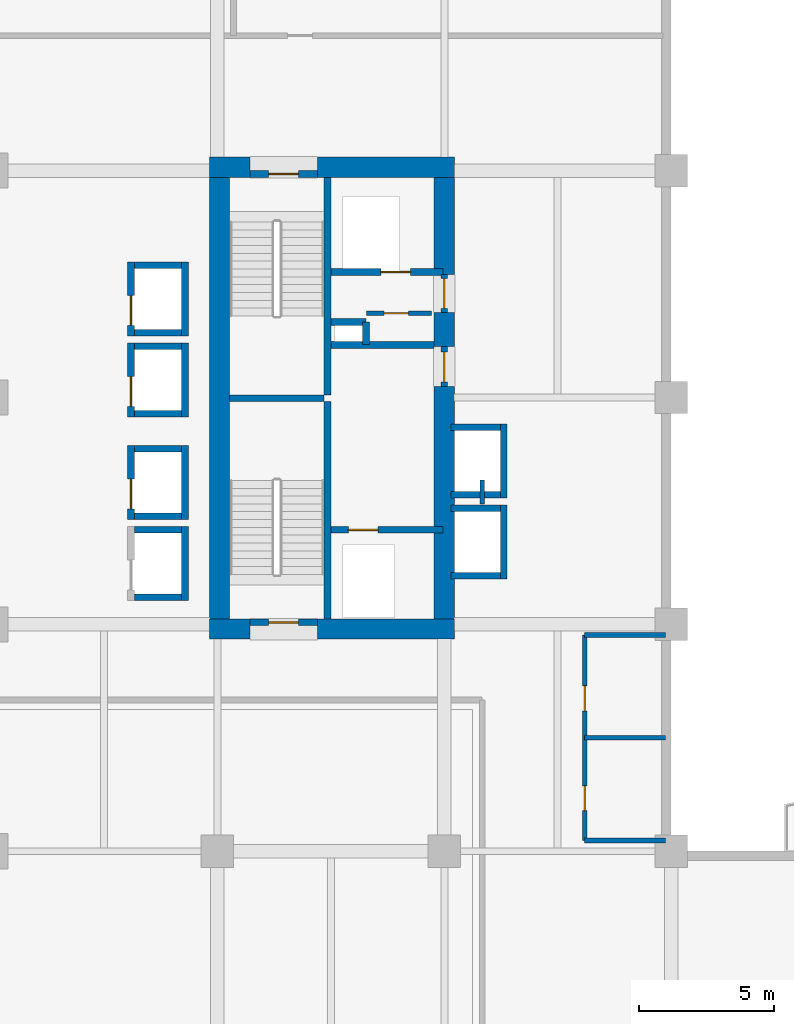
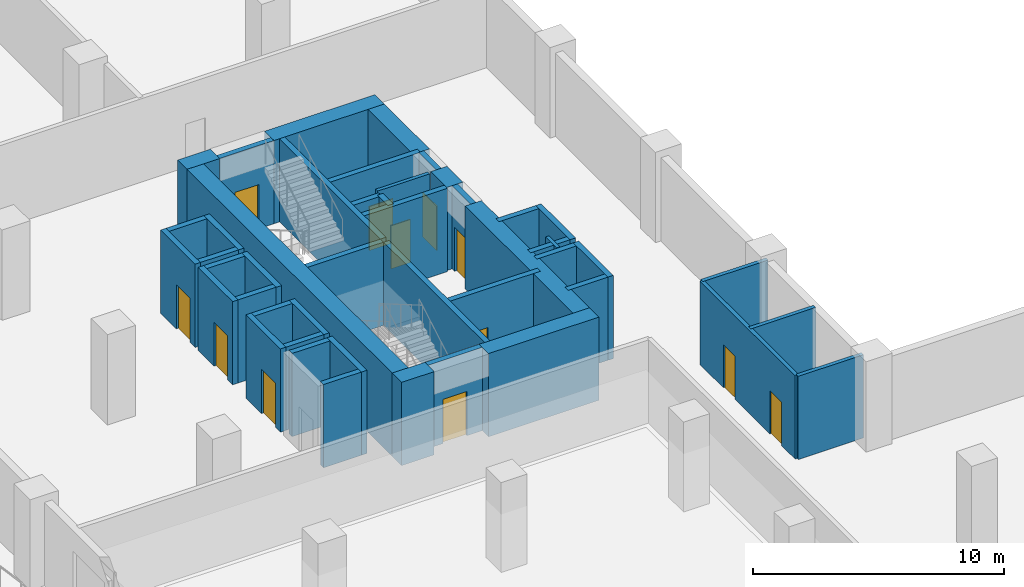
# One storey, part 15 of 24: 47 walls, 12 doors, 12 openings.
"""IFC4 building model written with IfcOpenShell, lengths in metres."""

from ifc_helpers import new_model, si_unit, direction, frame, frame_2d, origin, place, context, subcontext, project, spatial, rectangle, extrude, material, layer, layer_set, type_object, element, fill, save


model = new_model("IFC4")

# Units and contexts
model_context = context("Model", 3, precision=1e-05, world=origin(), true_north=direction((0.0, 1.0)))
body_context = subcontext(model_context, "Body", "Model", "MODEL_VIEW")
ifc_project = project(units=[si_unit("LENGTHUNIT", "METRE"), si_unit("AREAUNIT", "SQUARE_METRE"), si_unit("VOLUMEUNIT", "CUBIC_METRE"), si_unit("PLANEANGLEUNIT", "RADIAN"), si_unit("MASSUNIT", "GRAM", prefix="KILO")], contexts=[model_context])

# Site, building, storey
site_placement = place(None, origin())
site = spatial("IfcSite", under=ifc_project, at=site_placement, CompositionType="ELEMENT")
building_placement = place(site_placement, origin())
building = spatial("IfcBuilding", under=site, at=building_placement, Name="Koriwani Terraces Tower", CompositionType="ELEMENT")
storey_placement = place(building_placement, frame((0.0, 0.0, 89.60009765625)))
storey = spatial("IfcBuildingStorey", under=building, at=storey_placement, Name="L21", CompositionType="ELEMENT", Elevation=89.60009765625)

# Walls
ifc_material_1 = material(Name="Concrete C60/75", Category="concrete")
ifc_layer_1 = layer(ifc_material_1, 0.75, Name="Concrete C60/75")
ifc_layer_set_1 = layer_set([ifc_layer_1], Name="Concrete C60/75")
wall_type_1 = type_object("IfcWallType", Name="WALL_CORE_RC_750", PredefinedType="SHEAR", material=ifc_layer_set_1)
wall_1_placement = place(storey_placement, frame((16.5, 41.824951171875, 0.0), z_axis=(0.0, 0.0, 1.0), x_axis=(1.0, 0.0, 0.0)))
element("IfcWall", 1, at=wall_1_placement, inside=storey, type_object=wall_type_1, Name="L21 West Split Core Shear Wall S1", PredefinedType="SHEAR", context=body_context, shape_type="SweptSolid", body=[
    extrude(rectangle(XDim=1.5, YDim=0.75, at=frame_2d((0.75, 0.0))), origin(), (0.0, 0.0, 1.0), 4.0498046875),
])
wall_2_placement = place(storey_placement, frame((20.5, 41.824951171875, 0.0), z_axis=(0.0, 0.0, 1.0), x_axis=(1.0, 0.0, 0.0)))
element("IfcWall", 2, at=wall_2_placement, inside=storey, type_object=wall_type_1, Name="L21 West Split Core Shear Wall S2", PredefinedType="SHEAR", context=body_context, shape_type="SweptSolid", body=[
    extrude(rectangle(XDim=5.074951171875, YDim=0.75, at=frame_2d((2.53759765625, 0.0))), origin(), (0.0, 0.0, 1.0), 4.0498046875),
])
wall_3_placement = place(storey_placement, frame((16.5, 58.925048828125, 0.0), z_axis=(0.0, 0.0, 1.0), x_axis=(1.0, 0.0, 0.0)))
element("IfcWall", 3, at=wall_3_placement, inside=storey, type_object=wall_type_1, Name="L21 West Split Core Shear Wall N1", PredefinedType="SHEAR", context=body_context, shape_type="SweptSolid", body=[
    extrude(rectangle(XDim=1.5, YDim=0.75, at=frame_2d((0.75, 0.0))), origin(), (0.0, 0.0, 1.0), 4.0498046875),
])
wall_4_placement = place(storey_placement, frame((20.5, 58.925048828125, 0.0), z_axis=(0.0, 0.0, 1.0), x_axis=(1.0, 0.0, 0.0)))
element("IfcWall", 4, at=wall_4_placement, inside=storey, type_object=wall_type_1, Name="L21 West Split Core Shear Wall N2", PredefinedType="SHEAR", context=body_context, shape_type="SweptSolid", body=[
    extrude(rectangle(XDim=5.074951171875, YDim=0.75, at=frame_2d((2.53759765625, 0.0))), origin(), (0.0, 0.0, 1.0), 4.0498046875),
])
wall_5_placement = place(storey_placement, frame((16.875, 42.199951171875, 0.0), z_axis=(0.0, 0.0, 1.0), x_axis=(0.0, 1.0, 0.0)))
element("IfcWall", 5, at=wall_5_placement, inside=storey, type_object=wall_type_1, Name="L21 West Split Core Shear Wall W1", PredefinedType="SHEAR", context=body_context, shape_type="SweptSolid", body=[
    extrude(rectangle(XDim=16.35009765625, YDim=0.75, at=frame_2d((8.175048828125, 0.0))), origin(), (0.0, 0.0, 1.0), 4.0498046875),
])
wall_6_placement = place(storey_placement, frame((25.199951171875, 42.199951171875, 0.0), z_axis=(0.0, 0.0, 1.0), x_axis=(0.0, 1.0, 0.0)))
element("IfcWall", 6, at=wall_6_placement, inside=storey, type_object=wall_type_1, Name="L21 West Split Core Shear Wall E1", PredefinedType="SHEAR", context=body_context, shape_type="SweptSolid", body=[
    extrude(rectangle(XDim=8.60009765625, YDim=0.75, at=frame_2d((4.300048828125, 0.0))), origin(), (0.0, 0.0, 1.0), 4.0498046875),
])
wall_7_placement = place(storey_placement, frame((25.199951171875, 52.280029296875, 0.0), z_axis=(0.0, 0.0, 1.0), x_axis=(0.0, 1.0, 0.0)))
element("IfcWall", 7, at=wall_7_placement, inside=storey, type_object=wall_type_1, Name="L21 West Split Core Shear Wall E2", PredefinedType="SHEAR", context=body_context, shape_type="SweptSolid", body=[
    extrude(rectangle(XDim=1.27001953125, YDim=0.75, at=frame_2d((0.635009765625, 0.0))), origin(), (0.0, 0.0, 1.0), 4.0498046875),
])
wall_8_placement = place(storey_placement, frame((25.199951171875, 54.949951171875, 0.0), z_axis=(0.0, 0.0, 1.0), x_axis=(0.0, 1.0, 0.0)))
element("IfcWall", 8, at=wall_8_placement, inside=storey, type_object=wall_type_1, Name="L21 West Split Core Shear Wall E3", PredefinedType="SHEAR", context=body_context, shape_type="SweptSolid", body=[
    extrude(rectangle(XDim=3.60009765625, YDim=0.75, at=frame_2d((1.800048828125, 0.0))), origin(), (0.0, 0.0, 1.0), 4.0498046875),
])

# Wall, openings, doors
ifc_material_2 = material(Name="Fire-Rated Acoustic Gypsum Partition", Category="masonry")
ifc_layer_2 = layer(ifc_material_2, 0.179931640625, Name="Fire-Rated Acoustic Gypsum Partition")
ifc_layer_set_2 = layer_set([ifc_layer_2], Name="Fire-Rated Acoustic Gypsum Partition")
wall_type_2 = type_object("IfcWallType", Name="WALL_PLUMBING_180", PredefinedType="PLUMBINGWALL", material=ifc_layer_set_2)
wall_9_placement = place(storey_placement, frame((30.39990234375, 34.0, 0.0), z_axis=(0.0, 0.0, 1.0), x_axis=(0.0, 1.0, 0.0)))
wall_9 = element("IfcWall", 9, at=wall_9_placement, inside=storey, type_object=wall_type_2, Name="L21 Interior Wall WSKY-WC-L21", PredefinedType="PLUMBINGWALL", context=body_context, shape_type="SweptSolid", body=[
    extrude(rectangle(XDim=7.60009765625, YDim=0.179931640625, at=frame_2d((3.800048828125, 0.0))), origin(), (0.0, 0.0, 1.0), 4.0498046875),
])
opening_1_placement = place(wall_9_placement, frame((1.10009765625, 0.0, 0.0)))
opening_1 = element("IfcOpeningElement", 10, at=opening_1_placement, cuts=wall_9, Name="Opening D-06", PredefinedType="OPENING", context=body_context, shape_type="SweptSolid", body=[
    extrude(rectangle(XDim=0.919921875, YDim=2.10009765625, at=frame_2d((0.4599609375, 1.050048828125))), frame((0.0, 0.10009765625, 0.0), z_axis=(0.0, -1.0, 0.0), x_axis=(1.0, 0.0, 0.0)), (0.0, 0.0, 1.0), 0.199951171875),
])
opening_2_placement = place(wall_9_placement, frame((4.800048828125, 0.0, 0.0)))
opening_2 = element("IfcOpeningElement", 11, at=opening_2_placement, cuts=wall_9, Name="Opening D-06", PredefinedType="OPENING", context=body_context, shape_type="SweptSolid", body=[
    extrude(rectangle(XDim=0.919921875, YDim=2.10009765625, at=frame_2d((0.4599609375, 1.050048828125))), frame((0.0, 0.10009765625, 0.0), z_axis=(0.0, -1.0, 0.0), x_axis=(1.0, 0.0, 0.0)), (0.0, 0.0, 1.0), 0.199951171875),
])
ifc_material_3 = material(Name="Architectural Oak Fire Door", Category="wood")
door_type_1 = type_object("IfcDoorType", Name="DOOR_ROOM_INT_920X2100", OperationType="NOTDEFINED", PredefinedType="DOOR", material=ifc_material_3)
door_1_placement = place(opening_1_placement, origin())
door_1 = element("IfcDoor", 12, at=door_1_placement, inside=storey, type_object=door_type_1, Name="L21 Sky Lobby Restroom WC Door", OperationType="SINGLE_SWING_LEFT", OverallHeight=2.10009765625, OverallWidth=0.919921875, PredefinedType="DOOR", context=body_context, shape_type="SweptSolid", body=[
    extrude(rectangle(XDim=0.919921875, YDim=2.10009765625, at=frame_2d((0.4599609375, 1.050048828125))), frame((0.0, 0.02490234375, 0.0), z_axis=(0.0, -1.0, 0.0), x_axis=(1.0, 0.0, 0.0)), (0.0, 0.0, 1.0), 0.050048828125),
])
fill(opening_1, door_1)
door_2_placement = place(opening_2_placement, origin())
door_2 = element("IfcDoor", 13, at=door_2_placement, inside=storey, type_object=door_type_1, Name="L21 Sky Lobby Accessible WC Door", OperationType="SINGLE_SWING_RIGHT", OverallHeight=2.10009765625, OverallWidth=0.919921875, PredefinedType="DOOR", context=body_context, shape_type="SweptSolid", body=[
    extrude(rectangle(XDim=0.919921875, YDim=2.10009765625, at=frame_2d((0.4599609375, 1.050048828125))), frame((0.0, 0.02490234375, 0.0), z_axis=(0.0, -1.0, 0.0), x_axis=(1.0, 0.0, 0.0)), (0.0, 0.0, 1.0), 0.050048828125),
])
fill(opening_2, door_2)

# Walls
for number, where, z_axis, x_axis, name in (
    (14, (30.39990234375, 34.0, 0.0), (0.0, 0.0, 1.0), (1.0, 0.0, 0.0), "L21 Interior Wall WSKY-WCS-L21"),
    (15, (30.39990234375, 37.800048828125, 0.0), (0.0, 0.0, 1.0), (1.0, 0.0, 0.0), "L21 Interior Wall WSKY-WCM-L21"),
    (16, (30.39990234375, 41.60009765625, 0.0), (0.0, 0.0, 1.0), (1.0, 0.0, 0.0), "L21 Interior Wall WSKY-WCN-L21"),
):
    element("IfcWall", number, at=place(storey_placement, frame(where, z_axis=z_axis, x_axis=x_axis)), inside=storey, type_object=wall_type_2, Name=name, PredefinedType="PLUMBINGWALL", context=body_context, shape_type="SweptSolid", body=[
        extrude(rectangle(XDim=3.0, YDim=0.179931640625, at=frame_2d((1.5, 0.0))), origin(), (0.0, 0.0, 1.0), 4.0498046875),
    ])
ifc_material_4 = material(Name="Concrete C40/50", Category="concrete")
ifc_layer_3 = layer(ifc_material_4, 0.25, Name="Concrete C40/50")
ifc_layer_set_3 = layer_set([ifc_layer_3], Name="Concrete C40/50")
wall_type_3 = type_object("IfcWallType", Name="WALL_SHAFT_RATED_250", PredefinedType="SOLIDWALL", material=ifc_layer_set_3)
for number, where, z_axis, x_axis, name in (
    (17, (20.875, 42.199951171875, 0.0), (0.0, 0.0, 1.0), (0.0, 1.0, 0.0), "L21 West Split Core Web Wall MID1"),
    (18, (20.875, 50.5, 0.0), (0.0, 0.0, 1.0), (0.0, 1.0, 0.0), "L21 West Split Core Web Wall MID2"),
):
    element("IfcWall", number, at=place(storey_placement, frame(where, z_axis=z_axis, x_axis=x_axis)), inside=storey, type_object=wall_type_3, Name=name, PredefinedType="SOLIDWALL", context=body_context, shape_type="SweptSolid", body=[
        extrude(rectangle(XDim=8.050048828125, YDim=0.25, at=frame_2d((4.02490234375, 0.0))), origin(), (0.0, 0.0, 1.0), 4.0498046875),
    ])
wall_10_placement = place(storey_placement, frame((17.25, 50.375, 0.0), z_axis=(0.0, 0.0, 1.0), x_axis=(1.0, 0.0, 0.0)))
element("IfcWall", 19, at=wall_10_placement, inside=storey, type_object=wall_type_3, Name="L21 West Split Core Stair Dividing Wall", PredefinedType="SOLIDWALL", context=body_context, shape_type="SweptSolid", body=[
    extrude(rectangle(XDim=3.5, YDim=0.25, at=frame_2d((1.75, 0.0))), origin(), (0.0, 0.0, 1.0), 4.0498046875),
])

# Wall, opening, door
wall_11_placement = place(storey_placement, frame((18.0, 42.074951171875, 0.0), z_axis=(0.0, 0.0, 1.0), x_axis=(1.0, 0.0, 0.0)))
wall_11 = element("IfcWall", 20, at=wall_11_placement, inside=storey, type_object=wall_type_3, Name="L21 Interior Wall WIN-CW-L21-STS", PredefinedType="SOLIDWALL", context=body_context, shape_type="SweptSolid", body=[
    extrude(rectangle(XDim=2.5, YDim=0.25, at=frame_2d((1.25, 0.0))), origin(), (0.0, 0.0, 1.0), 4.0498046875),
])
opening_3_placement = place(wall_11_placement, frame((0.699951171875, 0.0, 0.0)))
opening_3 = element("IfcOpeningElement", 21, at=opening_3_placement, cuts=wall_11, Name="Opening D-03", PredefinedType="OPENING", context=body_context, shape_type="SweptSolid", body=[
    extrude(rectangle(XDim=1.10009765625, YDim=2.14990234375, at=frame_2d((0.550048828125, 1.074951171875))), frame((0.0, 0.135009765625, 0.0), z_axis=(0.0, -1.0, 0.0), x_axis=(1.0, 0.0, 0.0)), (0.0, 0.0, 1.0), 0.27001953125),
])
ifc_material_5 = material(Name="Steel ASTM A572 Grade 50", Category="steel")
door_type_2 = type_object("IfcDoorType", Name="DOOR_STAIR_FIRE_1100X2150", OperationType="NOTDEFINED", PredefinedType="DOOR", material=ifc_material_5)
door_3_placement = place(opening_3_placement, origin())
door_3 = element("IfcDoor", 22, at=door_3_placement, inside=storey, type_object=door_type_2, Name="L21 Exit Stair ST-W1 Door", OperationType="SINGLE_SWING_LEFT", OverallHeight=2.14990234375, OverallWidth=1.10009765625, PredefinedType="DOOR", context=body_context, shape_type="SweptSolid", body=[
    extrude(rectangle(XDim=1.10009765625, YDim=2.14990234375, at=frame_2d((0.550048828125, 1.074951171875))), frame((0.0, 0.02490234375, 0.0), z_axis=(0.0, -1.0, 0.0), x_axis=(1.0, 0.0, 0.0)), (0.0, 0.0, 1.0), 0.050048828125),
])
fill(opening_3, door_3)

wall_12_placement = place(storey_placement, frame((18.0, 58.675048828125, 0.0), z_axis=(0.0, 0.0, 1.0), x_axis=(1.0, 0.0, 0.0)))
wall_12 = element("IfcWall", 23, at=wall_12_placement, inside=storey, type_object=wall_type_3, Name="L21 Interior Wall WIN-CW-L21-STN", PredefinedType="SOLIDWALL", context=body_context, shape_type="SweptSolid", body=[
    extrude(rectangle(XDim=2.5, YDim=0.25, at=frame_2d((1.25, 0.0))), origin(), (0.0, 0.0, 1.0), 4.0498046875),
])
opening_4_placement = place(wall_12_placement, frame((0.699951171875, 0.0, 0.0)))
opening_4 = element("IfcOpeningElement", 24, at=opening_4_placement, cuts=wall_12, Name="Opening D-03", PredefinedType="OPENING", context=body_context, shape_type="SweptSolid", body=[
    extrude(rectangle(XDim=1.10009765625, YDim=2.14990234375, at=frame_2d((0.550048828125, 1.074951171875))), frame((0.0, 0.135009765625, 0.0), z_axis=(0.0, -1.0, 0.0), x_axis=(1.0, 0.0, 0.0)), (0.0, 0.0, 1.0), 0.27001953125),
])
door_4_placement = place(opening_4_placement, origin())
door_4 = element("IfcDoor", 25, at=door_4_placement, inside=storey, type_object=door_type_2, Name="L21 Exit Stair ST-W2 Door", OperationType="SINGLE_SWING_RIGHT", OverallHeight=2.14990234375, OverallWidth=1.10009765625, PredefinedType="DOOR", context=body_context, shape_type="SweptSolid", body=[
    extrude(rectangle(XDim=1.10009765625, YDim=2.14990234375, at=frame_2d((0.550048828125, 1.074951171875))), frame((0.0, 0.02490234375, 0.0), z_axis=(0.0, -1.0, 0.0), x_axis=(1.0, 0.0, 0.0)), (0.0, 0.0, 1.0), 0.050048828125),
])
fill(opening_4, door_4)

wall_13_placement = place(storey_placement, frame((21.0, 45.5, 0.0), z_axis=(0.0, 0.0, 1.0), x_axis=(1.0, 0.0, 0.0)))
wall_13 = element("IfcWall", 26, at=wall_13_placement, inside=storey, type_object=wall_type_3, Name="L21 Interior Wall WIN-CW-L21-FE", PredefinedType="SOLIDWALL", context=body_context, shape_type="SweptSolid", body=[
    extrude(rectangle(XDim=4.14990234375, YDim=0.25, at=frame_2d((2.074951171875, 0.0))), origin(), (0.0, 0.0, 1.0), 4.0498046875),
])
opening_5_placement = place(wall_13_placement, frame((0.64990234375, 0.0, 0.0)))
opening_5 = element("IfcOpeningElement", 27, at=opening_5_placement, cuts=wall_13, Name="Opening LD-01", PredefinedType="OPENING", context=body_context, shape_type="SweptSolid", body=[
    extrude(rectangle(XDim=1.10009765625, YDim=2.14990234375, at=frame_2d((0.550048828125, 1.074951171875))), frame((0.0, 0.135009765625, 0.0), z_axis=(0.0, -1.0, 0.0), x_axis=(1.0, 0.0, 0.0)), (0.0, 0.0, 1.0), 0.27001953125),
])
door_type_3 = type_object("IfcDoorType", Name="DOOR_LIFT_LANDING_1100X2200", OperationType="NOTDEFINED", PredefinedType="DOOR", material=ifc_material_5)
door_5_placement = place(opening_5_placement, origin())
door_5 = element("IfcDoor", 28, at=door_5_placement, inside=storey, type_object=door_type_3, Name="L21 Firefighting Lift FE-01 Landing Door", OperationType="SLIDING_TO_LEFT", OverallHeight=2.14990234375, OverallWidth=1.10009765625, PredefinedType="DOOR", context=body_context, shape_type="SweptSolid", body=[
    extrude(rectangle(XDim=1.10009765625, YDim=2.14990234375, at=frame_2d((0.550048828125, 1.074951171875))), frame((0.0, 0.02490234375, 0.0), z_axis=(0.0, -1.0, 0.0), x_axis=(1.0, 0.0, 0.0)), (0.0, 0.0, 1.0), 0.050048828125),
])
fill(opening_5, door_5)

wall_14_placement = place(storey_placement, frame((25.199951171875, 50.800048828125, 0.0), z_axis=(0.0, 0.0, 1.0), x_axis=(0.0, 1.0, 0.0)))
wall_14 = element("IfcWall", 29, at=wall_14_placement, inside=storey, type_object=wall_type_3, Name="L21 Interior Wall WIN-CW-L21-EP", PredefinedType="SOLIDWALL", context=body_context, shape_type="SweptSolid", body=[
    extrude(rectangle(XDim=1.47998046875, YDim=0.25, at=frame_2d((0.739990234375, 0.0))), origin(), (0.0, 0.0, 1.0), 4.0498046875),
])
opening_6_placement = place(wall_14_placement, frame((0.179931640625, 0.0, 0.0)))
opening_6 = element("IfcOpeningElement", 30, at=opening_6_placement, cuts=wall_14, Name="Opening D-03", PredefinedType="OPENING", context=body_context, shape_type="SweptSolid", body=[
    extrude(rectangle(XDim=1.10009765625, YDim=2.14990234375, at=frame_2d((0.550048828125, 1.074951171875))), frame((0.0, 0.135009765625, 0.0), z_axis=(0.0, -1.0, 0.0), x_axis=(1.0, 0.0, 0.0)), (0.0, 0.0, 1.0), 0.27001953125),
])
door_6_placement = place(opening_6_placement, origin())
door_6 = element("IfcDoor", 31, at=door_6_placement, inside=storey, type_object=door_type_2, Name="L21 West Firefighting Lobby Door", OperationType="SINGLE_SWING_LEFT", OverallHeight=2.14990234375, OverallWidth=1.10009765625, PredefinedType="DOOR", context=body_context, shape_type="SweptSolid", body=[
    extrude(rectangle(XDim=1.10009765625, YDim=2.14990234375, at=frame_2d((0.550048828125, 1.074951171875))), frame((0.0, 0.02490234375, 0.0), z_axis=(0.0, -1.0, 0.0), x_axis=(1.0, 0.0, 0.0)), (0.0, 0.0, 1.0), 0.050048828125),
])
fill(opening_6, door_6)

# Wall
wall_15_placement = place(storey_placement, frame((21.0, 52.340087890625, 0.0), z_axis=(0.0, 0.0, 1.0), x_axis=(1.0, 0.0, 0.0)))
element("IfcWall", 32, at=wall_15_placement, inside=storey, type_object=wall_type_3, Name="L21 Interior Wall WIN-CW-L21-FFN", PredefinedType="SOLIDWALL", context=body_context, shape_type="SweptSolid", body=[
    extrude(rectangle(XDim=3.824951171875, YDim=0.25, at=frame_2d((1.91259765625, 0.0))), origin(), (0.0, 0.0, 1.0), 4.0498046875),
])

# Wall, opening, door
wall_16_placement = place(storey_placement, frame((21.0, 55.050048828125, 0.0), z_axis=(0.0, 0.0, 1.0), x_axis=(1.0, 0.0, 0.0)))
wall_16 = element("IfcWall", 33, at=wall_16_placement, inside=storey, type_object=wall_type_3, Name="L21 Interior Wall WIN-CW-L21-SE", PredefinedType="SOLIDWALL", context=body_context, shape_type="SweptSolid", body=[
    extrude(rectangle(XDim=4.14990234375, YDim=0.25, at=frame_2d((2.074951171875, 0.0))), origin(), (0.0, 0.0, 1.0), 4.0498046875),
])
opening_7_placement = place(wall_16_placement, frame((1.85009765625, 0.0, 0.0)))
opening_7 = element("IfcOpeningElement", 34, at=opening_7_placement, cuts=wall_16, Name="Opening LD-01", PredefinedType="OPENING", context=body_context, shape_type="SweptSolid", body=[
    extrude(rectangle(XDim=1.10009765625, YDim=2.14990234375, at=frame_2d((0.550048828125, 1.074951171875))), frame((0.0, 0.135009765625, 0.0), z_axis=(0.0, -1.0, 0.0), x_axis=(1.0, 0.0, 0.0)), (0.0, 0.0, 1.0), 0.27001953125),
])
door_7_placement = place(opening_7_placement, origin())
door_7 = element("IfcDoor", 35, at=door_7_placement, inside=storey, type_object=door_type_3, Name="L21 Goods Lift SE-01 Landing Door", OperationType="SLIDING_TO_LEFT", OverallHeight=2.14990234375, OverallWidth=1.10009765625, PredefinedType="DOOR", context=body_context, shape_type="SweptSolid", body=[
    extrude(rectangle(XDim=1.10009765625, YDim=2.14990234375, at=frame_2d((0.550048828125, 1.074951171875))), frame((0.0, 0.02490234375, 0.0), z_axis=(0.0, -1.0, 0.0), x_axis=(1.0, 0.0, 0.0)), (0.0, 0.0, 1.0), 0.050048828125),
])
fill(opening_7, door_7)

wall_17_placement = place(storey_placement, frame((25.199951171875, 53.550048828125, 0.0), z_axis=(0.0, 0.0, 1.0), x_axis=(0.0, 1.0, 0.0)))
wall_17 = element("IfcWall", 36, at=wall_17_placement, inside=storey, type_object=wall_type_3, Name="L21 Interior Wall WIN-CW-L21-EP2", PredefinedType="SOLIDWALL", context=body_context, shape_type="SweptSolid", body=[
    extrude(rectangle(XDim=1.39990234375, YDim=0.25, at=frame_2d((0.699951171875, 0.0))), origin(), (0.0, 0.0, 1.0), 4.0498046875),
])
opening_8_placement = place(wall_17_placement, frame((0.14990234375, 0.0, 0.0)))
opening_8 = element("IfcOpeningElement", 37, at=opening_8_placement, cuts=wall_17, Name="Opening D-03", PredefinedType="OPENING", context=body_context, shape_type="SweptSolid", body=[
    extrude(rectangle(XDim=1.10009765625, YDim=2.14990234375, at=frame_2d((0.550048828125, 1.074951171875))), frame((0.0, 0.135009765625, 0.0), z_axis=(0.0, -1.0, 0.0), x_axis=(1.0, 0.0, 0.0)), (0.0, 0.0, 1.0), 0.27001953125),
])
door_8_placement = place(opening_8_placement, origin())
door_8 = element("IfcDoor", 38, at=door_8_placement, inside=storey, type_object=door_type_2, Name="L21 West Goods Lift Lobby Door", OperationType="SINGLE_SWING_RIGHT", OverallHeight=2.14990234375, OverallWidth=1.10009765625, PredefinedType="DOOR", context=body_context, shape_type="SweptSolid", body=[
    extrude(rectangle(XDim=1.10009765625, YDim=2.14990234375, at=frame_2d((0.550048828125, 1.074951171875))), frame((0.0, 0.02490234375, 0.0), z_axis=(0.0, -1.0, 0.0), x_axis=(1.0, 0.0, 0.0)), (0.0, 0.0, 1.0), 0.050048828125),
])
fill(opening_8, door_8)

# Walls
wall_18_placement = place(storey_placement, frame((21.0, 53.199951171875, 0.0), z_axis=(0.0, 0.0, 1.0), x_axis=(1.0, 0.0, 0.0)))
element("IfcWall", 39, at=wall_18_placement, inside=storey, type_object=wall_type_3, Name="L21 Interior Wall WIN-CW-L21-RS1", PredefinedType="SOLIDWALL", context=body_context, shape_type="SweptSolid", body=[
    extrude(rectangle(XDim=1.300048828125, YDim=0.25, at=frame_2d((0.64990234375, 0.0))), origin(), (0.0, 0.0, 1.0), 4.0498046875),
])
wall_19_placement = place(storey_placement, frame((22.300048828125, 52.360107421875, 0.0), z_axis=(0.0, 0.0, 1.0), x_axis=(0.0, 1.0, 0.0)))
element("IfcWall", 40, at=wall_19_placement, inside=storey, type_object=wall_type_3, Name="L21 Interior Wall WIN-CW-L21-RS2", PredefinedType="SOLIDWALL", context=body_context, shape_type="SweptSolid", body=[
    extrude(rectangle(XDim=0.83984375, YDim=0.25, at=frame_2d((0.419921875, 0.0))), origin(), (0.0, 0.0, 1.0), 4.0498046875),
])
wall_20_placement = place(storey_placement, frame((15.60009765625, 42.875, 0.0), z_axis=(0.0, 0.0, 1.0), x_axis=(0.0, 1.0, 0.0)))
element("IfcWall", 41, at=wall_20_placement, inside=storey, type_object=wall_type_3, Name="L21 Interior Wall WIN-LF-PE-L1-L21-B", PredefinedType="SOLIDWALL", context=body_context, shape_type="SweptSolid", body=[
    extrude(rectangle(XDim=2.75, YDim=0.25, at=frame_2d((1.375, 0.0))), origin(), (0.0, 0.0, 1.0), 4.0498046875),
])
for number, where, z_axis, x_axis, name in (
    (42, (13.72509765625, 43.0, 0.0), (0.0, 0.0, 1.0), (1.0, 0.0, 0.0), "L21 Interior Wall WIN-LF-PE-L1-L21-S"),
    (43, (13.72509765625, 45.5, 0.0), (0.0, 0.0, 1.0), (1.0, 0.0, 0.0), "L21 Interior Wall WIN-LF-PE-L1-L21-N"),
):
    element("IfcWall", number, at=place(storey_placement, frame(where, z_axis=z_axis, x_axis=x_axis)), inside=storey, type_object=wall_type_3, Name=name, PredefinedType="SOLIDWALL", context=body_context, shape_type="SweptSolid", body=[
        extrude(rectangle(XDim=1.75, YDim=0.25, at=frame_2d((0.875, 0.0))), origin(), (0.0, 0.0, 1.0), 4.0498046875),
    ])

# Wall, opening, door
wall_21_placement = place(storey_placement, frame((13.60009765625, 45.875, 0.0), z_axis=(0.0, 0.0, 1.0), x_axis=(0.0, 1.0, 0.0)))
wall_21 = element("IfcWall", 44, at=wall_21_placement, inside=storey, type_object=wall_type_3, Name="L21 Interior Wall WIN-LF-PE-L2-L21-F", PredefinedType="SOLIDWALL", context=body_context, shape_type="SweptSolid", body=[
    extrude(rectangle(XDim=2.75, YDim=0.25, at=frame_2d((1.375, 0.0))), origin(), (0.0, 0.0, 1.0), 4.0498046875),
])
opening_9_placement = place(wall_21_placement, frame((0.39990234375, 0.0, 0.0)))
opening_9 = element("IfcOpeningElement", 45, at=opening_9_placement, cuts=wall_21, Name="Opening LD-01", PredefinedType="OPENING", context=body_context, shape_type="SweptSolid", body=[
    extrude(rectangle(XDim=1.10009765625, YDim=2.14990234375, at=frame_2d((0.550048828125, 1.074951171875))), frame((0.0, 0.135009765625, 0.0), z_axis=(0.0, -1.0, 0.0), x_axis=(1.0, 0.0, 0.0)), (0.0, 0.0, 1.0), 0.27001953125),
])
door_9_placement = place(opening_9_placement, origin())
door_9 = element("IfcDoor", 46, at=door_9_placement, inside=storey, type_object=door_type_3, Name="L21 Passenger Lift PE-L2 Landing Door", OperationType="SLIDING_TO_LEFT", OverallHeight=2.14990234375, OverallWidth=1.10009765625, PredefinedType="DOOR", context=body_context, shape_type="SweptSolid", body=[
    extrude(rectangle(XDim=1.10009765625, YDim=2.14990234375, at=frame_2d((0.550048828125, 1.074951171875))), frame((0.0, 0.02490234375, 0.0), z_axis=(0.0, -1.0, 0.0), x_axis=(1.0, 0.0, 0.0)), (0.0, 0.0, 1.0), 0.050048828125),
])
fill(opening_9, door_9)

# Walls
wall_22_placement = place(storey_placement, frame((15.60009765625, 45.875, 0.0), z_axis=(0.0, 0.0, 1.0), x_axis=(0.0, 1.0, 0.0)))
element("IfcWall", 47, at=wall_22_placement, inside=storey, type_object=wall_type_3, Name="L21 Interior Wall WIN-LF-PE-L2-L21-B", PredefinedType="SOLIDWALL", context=body_context, shape_type="SweptSolid", body=[
    extrude(rectangle(XDim=2.75, YDim=0.25, at=frame_2d((1.375, 0.0))), origin(), (0.0, 0.0, 1.0), 4.0498046875),
])
for number, where, z_axis, x_axis, name in (
    (48, (13.72509765625, 46.0, 0.0), (0.0, 0.0, 1.0), (1.0, 0.0, 0.0), "L21 Interior Wall WIN-LF-PE-L2-L21-S"),
    (49, (13.72509765625, 48.5, 0.0), (0.0, 0.0, 1.0), (1.0, 0.0, 0.0), "L21 Interior Wall WIN-LF-PE-L2-L21-N"),
):
    element("IfcWall", number, at=place(storey_placement, frame(where, z_axis=z_axis, x_axis=x_axis)), inside=storey, type_object=wall_type_3, Name=name, PredefinedType="SOLIDWALL", context=body_context, shape_type="SweptSolid", body=[
        extrude(rectangle(XDim=1.75, YDim=0.25, at=frame_2d((0.875, 0.0))), origin(), (0.0, 0.0, 1.0), 4.0498046875),
    ])

# Wall, opening, door
wall_23_placement = place(storey_placement, frame((13.60009765625, 49.675048828125, 0.0), z_axis=(0.0, 0.0, 1.0), x_axis=(0.0, 1.0, 0.0)))
wall_23 = element("IfcWall", 50, at=wall_23_placement, inside=storey, type_object=wall_type_3, Name="L21 Interior Wall WIN-LF-PE-M1-L21-F", PredefinedType="SOLIDWALL", context=body_context, shape_type="SweptSolid", body=[
    extrude(rectangle(XDim=2.75, YDim=0.25, at=frame_2d((1.375, 0.0))), origin(), (0.0, 0.0, 1.0), 4.0498046875),
])
opening_10_placement = place(wall_23_placement, frame((0.39990234375, 0.0, 0.0)))
opening_10 = element("IfcOpeningElement", 51, at=opening_10_placement, cuts=wall_23, Name="Opening LD-01", PredefinedType="OPENING", context=body_context, shape_type="SweptSolid", body=[
    extrude(rectangle(XDim=1.10009765625, YDim=2.14990234375, at=frame_2d((0.550048828125, 1.074951171875))), frame((0.0, 0.135009765625, 0.0), z_axis=(0.0, -1.0, 0.0), x_axis=(1.0, 0.0, 0.0)), (0.0, 0.0, 1.0), 0.27001953125),
])
door_10_placement = place(opening_10_placement, origin())
door_10 = element("IfcDoor", 52, at=door_10_placement, inside=storey, type_object=door_type_3, Name="L21 Passenger Lift PE-M1 Landing Door", OperationType="SLIDING_TO_LEFT", OverallHeight=2.14990234375, OverallWidth=1.10009765625, PredefinedType="DOOR", context=body_context, shape_type="SweptSolid", body=[
    extrude(rectangle(XDim=1.10009765625, YDim=2.14990234375, at=frame_2d((0.550048828125, 1.074951171875))), frame((0.0, 0.02490234375, 0.0), z_axis=(0.0, -1.0, 0.0), x_axis=(1.0, 0.0, 0.0)), (0.0, 0.0, 1.0), 0.050048828125),
])
fill(opening_10, door_10)

# Walls
wall_24_placement = place(storey_placement, frame((15.60009765625, 49.675048828125, 0.0), z_axis=(0.0, 0.0, 1.0), x_axis=(0.0, 1.0, 0.0)))
element("IfcWall", 53, at=wall_24_placement, inside=storey, type_object=wall_type_3, Name="L21 Interior Wall WIN-LF-PE-M1-L21-B", PredefinedType="SOLIDWALL", context=body_context, shape_type="SweptSolid", body=[
    extrude(rectangle(XDim=2.75, YDim=0.25, at=frame_2d((1.375, 0.0))), origin(), (0.0, 0.0, 1.0), 4.0498046875),
])
for number, where, z_axis, x_axis, name in (
    (54, (13.72509765625, 49.800048828125, 0.0), (0.0, 0.0, 1.0), (1.0, 0.0, 0.0), "L21 Interior Wall WIN-LF-PE-M1-L21-S"),
    (55, (13.72509765625, 52.300048828125, 0.0), (0.0, 0.0, 1.0), (1.0, 0.0, 0.0), "L21 Interior Wall WIN-LF-PE-M1-L21-N"),
):
    element("IfcWall", number, at=place(storey_placement, frame(where, z_axis=z_axis, x_axis=x_axis)), inside=storey, type_object=wall_type_3, Name=name, PredefinedType="SOLIDWALL", context=body_context, shape_type="SweptSolid", body=[
        extrude(rectangle(XDim=1.75, YDim=0.25, at=frame_2d((0.875, 0.0))), origin(), (0.0, 0.0, 1.0), 4.0498046875),
    ])

# Wall, opening, door
wall_25_placement = place(storey_placement, frame((13.60009765625, 52.675048828125, 0.0), z_axis=(0.0, 0.0, 1.0), x_axis=(0.0, 1.0, 0.0)))
wall_25 = element("IfcWall", 56, at=wall_25_placement, inside=storey, type_object=wall_type_3, Name="L21 Interior Wall WIN-LF-PE-M2-L21-F", PredefinedType="SOLIDWALL", context=body_context, shape_type="SweptSolid", body=[
    extrude(rectangle(XDim=2.75, YDim=0.25, at=frame_2d((1.375, 0.0))), origin(), (0.0, 0.0, 1.0), 4.0498046875),
])
opening_11_placement = place(wall_25_placement, frame((0.39990234375, 0.0, 0.0)))
opening_11 = element("IfcOpeningElement", 57, at=opening_11_placement, cuts=wall_25, Name="Opening LD-01", PredefinedType="OPENING", context=body_context, shape_type="SweptSolid", body=[
    extrude(rectangle(XDim=1.10009765625, YDim=2.14990234375, at=frame_2d((0.550048828125, 1.074951171875))), frame((0.0, 0.135009765625, 0.0), z_axis=(0.0, -1.0, 0.0), x_axis=(1.0, 0.0, 0.0)), (0.0, 0.0, 1.0), 0.27001953125),
])
door_11_placement = place(opening_11_placement, origin())
door_11 = element("IfcDoor", 58, at=door_11_placement, inside=storey, type_object=door_type_3, Name="L21 Passenger Lift PE-M2 Landing Door", OperationType="SLIDING_TO_LEFT", OverallHeight=2.14990234375, OverallWidth=1.10009765625, PredefinedType="DOOR", context=body_context, shape_type="SweptSolid", body=[
    extrude(rectangle(XDim=1.10009765625, YDim=2.14990234375, at=frame_2d((0.550048828125, 1.074951171875))), frame((0.0, 0.02490234375, 0.0), z_axis=(0.0, -1.0, 0.0), x_axis=(1.0, 0.0, 0.0)), (0.0, 0.0, 1.0), 0.050048828125),
])
fill(opening_11, door_11)

# Walls
wall_26_placement = place(storey_placement, frame((15.60009765625, 52.675048828125, 0.0), z_axis=(0.0, 0.0, 1.0), x_axis=(0.0, 1.0, 0.0)))
element("IfcWall", 59, at=wall_26_placement, inside=storey, type_object=wall_type_3, Name="L21 Interior Wall WIN-LF-PE-M2-L21-B", PredefinedType="SOLIDWALL", context=body_context, shape_type="SweptSolid", body=[
    extrude(rectangle(XDim=2.75, YDim=0.25, at=frame_2d((1.375, 0.0))), origin(), (0.0, 0.0, 1.0), 4.0498046875),
])
for number, where, z_axis, x_axis, name in (
    (60, (13.72509765625, 52.800048828125, 0.0), (0.0, 0.0, 1.0), (1.0, 0.0, 0.0), "L21 Interior Wall WIN-LF-PE-M2-L21-S"),
    (61, (13.72509765625, 55.300048828125, 0.0), (0.0, 0.0, 1.0), (1.0, 0.0, 0.0), "L21 Interior Wall WIN-LF-PE-M2-L21-N"),
):
    element("IfcWall", number, at=place(storey_placement, frame(where, z_axis=z_axis, x_axis=x_axis)), inside=storey, type_object=wall_type_3, Name=name, PredefinedType="SOLIDWALL", context=body_context, shape_type="SweptSolid", body=[
        extrude(rectangle(XDim=1.75, YDim=0.25, at=frame_2d((0.875, 0.0))), origin(), (0.0, 0.0, 1.0), 4.0498046875),
    ])
wall_27_placement = place(storey_placement, frame((27.39990234375, 43.675048828125, 0.0), z_axis=(0.0, 0.0, 1.0), x_axis=(0.0, 1.0, 0.0)))
element("IfcWall", 62, at=wall_27_placement, inside=storey, type_object=wall_type_3, Name="L21 Interior Wall WIN-LF-PE-H1-L21-F", PredefinedType="SOLIDWALL", context=body_context, shape_type="SweptSolid", body=[
    extrude(rectangle(XDim=2.75, YDim=0.25, at=frame_2d((1.375, 0.0))), origin(), (0.0, 0.0, 1.0), 4.0498046875),
])
for number, where, z_axis, x_axis, name in (
    (63, (25.449951171875, 43.800048828125, 0.0), (0.0, 0.0, 1.0), (1.0, 0.0, 0.0), "L21 Interior Wall WIN-LF-PE-H1-L21-S"),
    (64, (25.449951171875, 46.300048828125, 0.0), (0.0, 0.0, 1.0), (1.0, 0.0, 0.0), "L21 Interior Wall WIN-LF-PE-H1-L21-N"),
):
    element("IfcWall", number, at=place(storey_placement, frame(where, z_axis=z_axis, x_axis=x_axis)), inside=storey, type_object=wall_type_3, Name=name, PredefinedType="SOLIDWALL", context=body_context, shape_type="SweptSolid", body=[
        extrude(rectangle(XDim=1.824951171875, YDim=0.25, at=frame_2d((0.91259765625, 0.0))), origin(), (0.0, 0.0, 1.0), 4.0498046875),
    ])
wall_28_placement = place(storey_placement, frame((27.39990234375, 46.675048828125, 0.0), z_axis=(0.0, 0.0, 1.0), x_axis=(0.0, 1.0, 0.0)))
element("IfcWall", 65, at=wall_28_placement, inside=storey, type_object=wall_type_3, Name="L21 Interior Wall WIN-LF-PE-H2-L21-F", PredefinedType="SOLIDWALL", context=body_context, shape_type="SweptSolid", body=[
    extrude(rectangle(XDim=2.75, YDim=0.25, at=frame_2d((1.375, 0.0))), origin(), (0.0, 0.0, 1.0), 4.0498046875),
])
for number, where, z_axis, x_axis, name in (
    (66, (25.449951171875, 46.800048828125, 0.0), (0.0, 0.0, 1.0), (1.0, 0.0, 0.0), "L21 Interior Wall WIN-LF-PE-H2-L21-S"),
    (67, (25.449951171875, 49.300048828125, 0.0), (0.0, 0.0, 1.0), (1.0, 0.0, 0.0), "L21 Interior Wall WIN-LF-PE-H2-L21-N"),
):
    element("IfcWall", number, at=place(storey_placement, frame(where, z_axis=z_axis, x_axis=x_axis)), inside=storey, type_object=wall_type_3, Name=name, PredefinedType="SOLIDWALL", context=body_context, shape_type="SweptSolid", body=[
        extrude(rectangle(XDim=1.824951171875, YDim=0.25, at=frame_2d((0.91259765625, 0.0))), origin(), (0.0, 0.0, 1.0), 4.0498046875),
    ])

# Wall, opening, door
ifc_layer_4 = layer(ifc_material_2, 0.159912109375, Name="Fire-Rated Acoustic Gypsum Partition")
ifc_layer_set_4 = layer_set([ifc_layer_4], Name="Fire-Rated Acoustic Gypsum Partition")
wall_type_4 = type_object("IfcWallType", Name="WALL_SUITE_160", PredefinedType="PARTITIONING", material=ifc_layer_set_4)
wall_29_placement = place(storey_placement, frame((22.320068359375, 53.52001953125, 0.0), z_axis=(0.0, 0.0, 1.0), x_axis=(1.0, 0.0, 0.0)))
wall_29 = element("IfcWall", 68, at=wall_29_placement, inside=storey, type_object=wall_type_4, Name="L21 Interior Wall WIN-CW-L21-SV0", PredefinedType="PARTITIONING", context=body_context, shape_type="SweptSolid", body=[
    extrude(rectangle(XDim=2.39990234375, YDim=0.159912109375, at=frame_2d((1.199951171875, 0.0))), origin(), (0.0, 0.0, 1.0), 4.0498046875),
])
opening_12_placement = place(wall_29_placement, frame((0.64990234375, 0.0, 0.0)))
opening_12 = element("IfcOpeningElement", 69, at=opening_12_placement, cuts=wall_29, Name="Opening D-07", PredefinedType="OPENING", context=body_context, shape_type="SweptSolid", body=[
    extrude(rectangle(XDim=0.89990234375, YDim=2.10009765625, at=frame_2d((0.449951171875, 1.050048828125))), frame((0.0, 0.08984375, 0.0), z_axis=(0.0, -1.0, 0.0), x_axis=(1.0, 0.0, 0.0)), (0.0, 0.0, 1.0), 0.179931640625),
])
door_type_4 = type_object("IfcDoorType", Name="DOOR_BATH_INT_900X2100", OperationType="NOTDEFINED", PredefinedType="DOOR", material=ifc_material_3)
door_12_placement = place(opening_12_placement, origin())
door_12 = element("IfcDoor", 70, at=door_12_placement, inside=storey, type_object=door_type_4, Name="L21 West Electrical Switch Room Door", OperationType="SINGLE_SWING_LEFT", OverallHeight=2.10009765625, OverallWidth=0.89990234375, PredefinedType="DOOR", context=body_context, shape_type="SweptSolid", body=[
    extrude(rectangle(XDim=0.89990234375, YDim=2.10009765625, at=frame_2d((0.449951171875, 1.050048828125))), frame((0.0, 0.02490234375, 0.0), z_axis=(0.0, -1.0, 0.0), x_axis=(1.0, 0.0, 0.0)), (0.0, 0.0, 1.0), 0.050048828125),
])
fill(opening_12, door_12)

# Wall
wall_30_placement = place(storey_placement, frame((26.60009765625, 46.4599609375, 0.0), z_axis=(0.0, 0.0, 1.0), x_axis=(0.0, 1.0, 0.0)))
element("IfcWall", 71, at=wall_30_placement, inside=storey, type_object=wall_type_4, Name="L21 Interior Wall WIN-LF-PEH12-MID-L21", PredefinedType="PARTITIONING", context=body_context, shape_type="SweptSolid", body=[
    extrude(rectangle(XDim=0.880126953125, YDim=0.159912109375, at=frame_2d((0.43994140625, 0.0))), origin(), (0.0, 0.0, 1.0), 4.0498046875),
])

save(model, "model.ifc")
